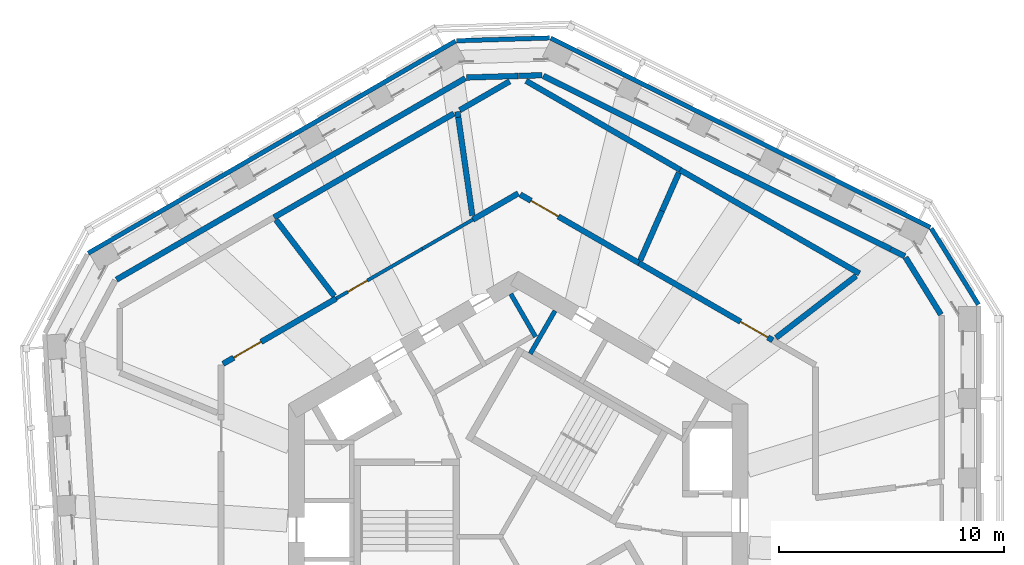
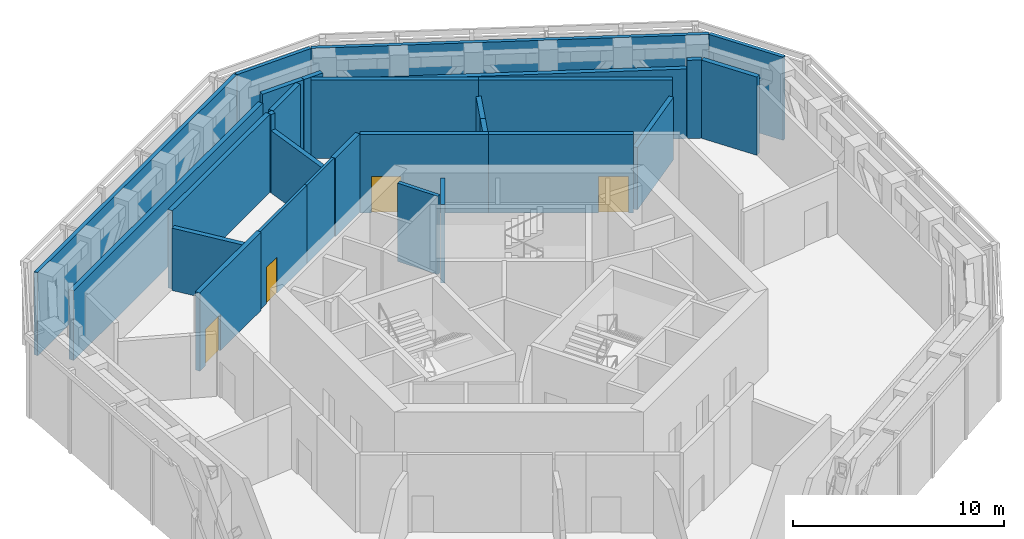
# One storey, part 8 of 14: 28 walls, 4 doors, 4 openings.
"""IFC4 building model written with IfcOpenShell, lengths in metres."""

from ifc_helpers import new_model, si_unit, direction, frame, frame_2d, origin, place, context, subcontext, project, spatial, rectangle, extrude, material, layer, layer_set, type_object, element, fill, save


model = new_model("IFC4")

# Units and contexts
model_context = context("Model", 3, precision=1e-05, world=origin(), true_north=direction((0.0, 1.0)))
body_context = subcontext(model_context, "Body", "Model", "MODEL_VIEW")
ifc_project = project(units=[si_unit("LENGTHUNIT", "METRE"), si_unit("AREAUNIT", "SQUARE_METRE"), si_unit("VOLUMEUNIT", "CUBIC_METRE"), si_unit("PLANEANGLEUNIT", "RADIAN"), si_unit("MASSUNIT", "GRAM", prefix="KILO")], contexts=[model_context])

# Site, building, storey
site_placement = place(None, origin())
site = spatial("IfcSite", under=ifc_project, at=site_placement, CompositionType="ELEMENT")
building_placement = place(site_placement, origin())
building = spatial("IfcBuilding", under=site, at=building_placement, Name="Vanh Sen Convention Tower", CompositionType="ELEMENT")
storey_placement = place(building_placement, frame((0.0, 0.0, 255.0)))
storey = spatial("IfcBuildingStorey", under=building, at=storey_placement, Name="L63", CompositionType="ELEMENT", Elevation=255.0)

# Wall
ifc_material_1 = material(Name="Concrete C40/50", Category="concrete")
ifc_layer_1 = layer(ifc_material_1, 0.25)
ifc_layer_set_1 = layer_set([ifc_layer_1], Name="Concrete C40/50")
wall_type_1 = type_object("IfcWallType", Name="Concrete wall 250 EI 180", PredefinedType="SOLIDWALL", material=ifc_layer_set_1)
wall_1_placement = place(storey_placement, frame((11.442626953125, 8.827880859375, 0.0), z_axis=(0.0, 0.0, 1.0), x_axis=(0.791689291754, 0.610923943976, 0.0)))
element("IfcWall", 1, at=wall_1_placement, inside=storey, type_object=wall_type_1, Name="Fire-resisting wall L63-050", PredefinedType="SOLIDWALL", context=body_context, shape_type="SweptSolid", body=[
    extrude(rectangle(XDim=4.500244140625, YDim=0.25, at=frame_2d((2.25, 0.0))), origin(), (0.0, 0.0, 1.0), 3.60009765625),
])

# Wall, opening, door
wall_2_placement = place(storey_placement, frame((-8.08837890625, 10.572021484375, 0.0), z_axis=(0.0, 0.0, 1.0), x_axis=(-0.866025827221, -0.499999266586, 0.0)))
wall_2 = element("IfcWall", 2, at=wall_2_placement, inside=storey, type_object=wall_type_1, Name="Fire-resisting wall L63-053", PredefinedType="SOLIDWALL", context=body_context, shape_type="SweptSolid", body=[
    extrude(rectangle(XDim=5.80224609375, YDim=0.25, at=frame_2d((2.901123046875, 0.0))), origin(), (0.0, 0.0, 1.0), 4.52001953125),
])
opening_1_placement = place(wall_2_placement, frame((3.852294921875, 0.0, 0.0)))
opening_1 = element("IfcOpeningElement", 3, at=opening_1_placement, cuts=wall_2, Name="Opening D63107", PredefinedType="OPENING", context=body_context, shape_type="SweptSolid", body=[
    extrude(rectangle(XDim=1.39990234375, YDim=2.10009765625, at=frame_2d((0.699951171875, 1.050048828125))), frame((0.0, 0.135009765625, 0.0), z_axis=(0.0, -1.0, 0.0), x_axis=(1.0, 0.0, 0.0)), (0.0, 0.0, 1.0), 0.27001953125),
])
ifc_material_2 = material(Name="Steel S355", Category="steel")
door_type_1 = type_object("IfcDoorType", Name="Service door 1400 EI 60", OperationType="SINGLE_SWING_LEFT", PredefinedType="DOOR", material=ifc_material_2)
door_1_placement = place(opening_1_placement, origin())
door_1 = element("IfcDoor", 4, at=door_1_placement, inside=storey, type_object=door_type_1, Name="Service door D63107", OperationType="SINGLE_SWING_LEFT", OverallHeight=2.10009765625, OverallWidth=1.39990234375, PredefinedType="DOOR", context=body_context, shape_type="SweptSolid", body=[
    extrude(rectangle(XDim=1.39990234375, YDim=2.10009765625, at=frame_2d((0.699951171875, 1.050048828125))), frame((0.0, 0.02490234375, 0.0), z_axis=(0.0, -1.0, 0.0), x_axis=(1.0, 0.0, 0.0)), (0.0, 0.0, 1.0), 0.050048828125),
])
fill(opening_1, door_1)

# Walls
wall_3_placement = place(storey_placement, frame((-8.173583984375, 10.683349609375, 0.0), z_axis=(0.0, 0.0, 1.0), x_axis=(-0.607669565566, 0.794189964104, 0.0)))
element("IfcWall", 5, at=wall_3_placement, inside=storey, type_object=wall_type_1, Name="Fire-resisting wall L63-055", PredefinedType="SOLIDWALL", context=body_context, shape_type="SweptSolid", body=[
    extrude(rectangle(XDim=4.252685546875, YDim=0.25, at=frame_2d((2.12646484375, 0.0))), origin(), (0.0, 0.0, 1.0), 3.60009765625),
])
wall_4_placement = place(storey_placement, frame((-17.843994140625, 11.412109375, 0.0), z_axis=(0.0, 0.0, 1.0), x_axis=(0.86603532492, 0.499982815695, 0.0)))
element("IfcWall", 6, at=wall_4_placement, inside=storey, type_object=wall_type_1, Name="Fire-resisting wall L63-056", PredefinedType="SOLIDWALL", context=body_context, shape_type="SweptSolid", body=[
    extrude(rectangle(XDim=17.884521484375, YDim=0.25, at=frame_2d((8.9423828125, 0.0))), origin(), (0.0, 0.0, 1.0), 4.02001953125),
])
wall_5_placement = place(storey_placement, frame((15.1494140625, 11.685302734375, 0.0), z_axis=(0.0, 0.0, 1.0), x_axis=(-0.86600739608, 0.500031188962, 0.0)))
element("IfcWall", 7, at=wall_5_placement, inside=storey, type_object=wall_type_1, Name="Fire-resisting wall L63-057", PredefinedType="SOLIDWALL", context=body_context, shape_type="SweptSolid", body=[
    extrude(rectangle(XDim=9.1953125, YDim=0.25, at=frame_2d((4.59765625, 0.0))), origin(), (0.0, 0.0, 1.0), 4.52001953125),
])

# Wall, opening, door
wall_6_placement = place(storey_placement, frame((5.361083984375, 12.14697265625, 0.0), z_axis=(0.0, 0.0, 1.0), x_axis=(0.86601958666, -0.500010075419, 0.0)))
wall_6 = element("IfcWall", 8, at=wall_6_placement, inside=storey, type_object=wall_type_1, Name="Fire-resisting wall L63-058", PredefinedType="SOLIDWALL", context=body_context, shape_type="SweptSolid", body=[
    extrude(rectangle(XDim=6.857666015625, YDim=0.25, at=frame_2d((3.4287109375, 0.0))), origin(), (0.0, 0.0, 1.0), 4.52001953125),
])
opening_2_placement = place(wall_6_placement, frame((5.207763671875, 0.0, 0.0)))
opening_2 = element("IfcOpeningElement", 9, at=opening_2_placement, cuts=wall_6, Name="Opening D63109", PredefinedType="OPENING", context=body_context, shape_type="SweptSolid", body=[
    extrude(rectangle(XDim=1.39990234375, YDim=2.10009765625, at=frame_2d((0.699951171875, 1.050048828125))), frame((0.0, 0.135009765625, 0.0), z_axis=(0.0, -1.0, 0.0), x_axis=(1.0, 0.0, 0.0)), (0.0, 0.0, 1.0), 0.27001953125),
])
door_2_placement = place(opening_2_placement, origin())
door_2 = element("IfcDoor", 10, at=door_2_placement, inside=storey, type_object=door_type_1, Name="Service door D63109", OperationType="SINGLE_SWING_LEFT", OverallHeight=2.10009765625, OverallWidth=1.39990234375, PredefinedType="DOOR", context=body_context, shape_type="SweptSolid", body=[
    extrude(rectangle(XDim=1.39990234375, YDim=2.10009765625, at=frame_2d((0.699951171875, 1.050048828125))), frame((0.0, 0.02490234375, 0.0), z_axis=(0.0, -1.0, 0.0), x_axis=(1.0, 0.0, 0.0)), (0.0, 0.0, 1.0), 0.050048828125),
])
fill(opening_2, door_2)

# Walls
wall_7_placement = place(storey_placement, frame((17.199462890625, 12.396484375, 0.0), z_axis=(0.0, 0.0, 1.0), x_axis=(0.526261572614, -0.850322737077, 0.0)))
element("IfcWall", 11, at=wall_7_placement, inside=storey, type_object=wall_type_1, Name="Fire-resisting wall L63-059", PredefinedType="SOLIDWALL", context=body_context, shape_type="SweptSolid", body=[
    extrude(rectangle(XDim=2.981201171875, YDim=0.25, at=frame_2d((1.49072265625, 0.0))), origin(), (0.0, 0.0, 1.0), 4.52001953125),
])
wall_8_placement = place(storey_placement, frame((16.5400390625, 12.760498046875, 0.0), z_axis=(0.0, 0.0, 1.0), x_axis=(0.894983252618, -0.446099739446, 0.0)))
element("IfcWall", 12, at=wall_8_placement, inside=storey, type_object=wall_type_1, Name="Fire-resisting wall L63-060", PredefinedType="SOLIDWALL", context=body_context, shape_type="SweptSolid", body=[
    extrude(rectangle(XDim=0.70166015625, YDim=0.25, at=frame_2d((0.350830078125, 0.0))), origin(), (0.0, 0.0, 1.0), 4.52001953125),
])
wall_9_placement = place(storey_placement, frame((-10.845947265625, 14.176025390625, 0.0), z_axis=(0.0, 0.0, 1.0), x_axis=(0.866021196397, 0.500007287337, 0.0)))
element("IfcWall", 13, at=wall_9_placement, inside=storey, type_object=wall_type_1, Name="Fire-resisting wall L63-062", PredefinedType="SOLIDWALL", context=body_context, shape_type="SweptSolid", body=[
    extrude(rectangle(XDim=9.224853515625, YDim=0.25, at=frame_2d((4.6123046875, 0.0))), origin(), (0.0, 0.0, 1.0), 4.52001953125),
])
wall_10_placement = place(storey_placement, frame((6.382568359375, 14.46044921875, 0.0), z_axis=(0.0, 0.0, 1.0), x_axis=(-0.403984880166, -0.914765662122, 0.0)))
element("IfcWall", 14, at=wall_10_placement, inside=storey, type_object=wall_type_1, Name="Fire-resisting wall L63-063", PredefinedType="SOLIDWALL", context=body_context, shape_type="SweptSolid", body=[
    extrude(rectangle(XDim=2.388916015625, YDim=0.25, at=frame_2d((1.1943359375, 0.0))), origin(), (0.0, 0.0, 1.0), 3.60009765625),
])

# Wall, opening, door
wall_11_placement = place(storey_placement, frame((0.086669921875, 15.19189453125, 0.0), z_axis=(0.0, 0.0, 1.0), x_axis=(0.866044067064, -0.499967672858, 0.0)))
wall_11 = element("IfcWall", 15, at=wall_11_placement, inside=storey, type_object=wall_type_1, Name="Fire-resisting wall L63-064", PredefinedType="SOLIDWALL", context=body_context, shape_type="SweptSolid", body=[
    extrude(rectangle(XDim=6.09033203125, YDim=0.25, at=frame_2d((3.045166015625, 0.0))), origin(), (0.0, 0.0, 1.0), 4.52001953125),
])
opening_3_placement = place(wall_11_placement, frame((0.550048828125, 0.0, 0.0)))
opening_3 = element("IfcOpeningElement", 16, at=opening_3_placement, cuts=wall_11, Name="Opening D63110", PredefinedType="OPENING", context=body_context, shape_type="SweptSolid", body=[
    extrude(rectangle(XDim=1.39990234375, YDim=2.10009765625, at=frame_2d((0.699951171875, 1.050048828125))), frame((0.0, 0.135009765625, 0.0), z_axis=(0.0, -1.0, 0.0), x_axis=(1.0, 0.0, 0.0)), (0.0, 0.0, 1.0), 0.27001953125),
])
door_3_placement = place(opening_3_placement, origin())
door_3 = element("IfcDoor", 17, at=door_3_placement, inside=storey, type_object=door_type_1, Name="Service door D63110", OperationType="SINGLE_SWING_LEFT", OverallHeight=2.10009765625, OverallWidth=1.39990234375, PredefinedType="DOOR", context=body_context, shape_type="SweptSolid", body=[
    extrude(rectangle(XDim=1.39990234375, YDim=2.10009765625, at=frame_2d((0.699951171875, 1.050048828125))), frame((0.0, 0.02490234375, 0.0), z_axis=(0.0, -1.0, 0.0), x_axis=(1.0, 0.0, 0.0)), (0.0, 0.0, 1.0), 0.050048828125),
])
fill(opening_3, door_3)

# Walls
wall_12_placement = place(storey_placement, frame((0.0, 15.241943359375, 0.0), z_axis=(0.0, 0.0, 1.0), x_axis=(-0.866057993361, -0.499943548949, 0.0)))
element("IfcWall", 18, at=wall_12_placement, inside=storey, type_object=wall_type_1, Name="Fire-resisting wall L63-065", PredefinedType="SOLIDWALL", context=body_context, shape_type="SweptSolid", body=[
    extrude(rectangle(XDim=2.325927734375, YDim=0.25, at=frame_2d((1.1630859375, 0.0))), origin(), (0.0, 0.0, 1.0), 4.52001953125),
])
wall_13_placement = place(storey_placement, frame((7.13037109375, 16.15478515625, 0.0), z_axis=(0.0, 0.0, 1.0), x_axis=(-0.403776512369, -0.914857654534, 0.0)))
element("IfcWall", 19, at=wall_13_placement, inside=storey, type_object=wall_type_1, Name="Fire-resisting wall L63-066", PredefinedType="SOLIDWALL", context=body_context, shape_type="SweptSolid", body=[
    extrude(rectangle(XDim=1.85205078125, YDim=0.25, at=frame_2d((0.926025390625, 0.0))), origin(), (0.0, 0.0, 1.0), 3.60009765625),
])
wall_14_placement = place(storey_placement, frame((-2.6640625, 18.6201171875, 0.0), z_axis=(0.0, 0.0, 1.0), x_axis=(0.1415842094, -0.989926215255, 0.0)))
element("IfcWall", 20, at=wall_14_placement, inside=storey, type_object=wall_type_1, Name="Fire-resisting wall L63-067", PredefinedType="SOLIDWALL", context=body_context, shape_type="SweptSolid", body=[
    extrude(rectangle(XDim=4.407470703125, YDim=0.25, at=frame_2d((2.20361328125, 0.0))), origin(), (0.0, 0.0, 1.0), 3.60009765625),
])
wall_15_placement = place(storey_placement, frame((-2.6640625, 18.6201171875, 0.0), z_axis=(0.0, 0.0, 1.0), x_axis=(-0.141421356237, 0.989949493661, 0.0)))
element("IfcWall", 21, at=wall_15_placement, inside=storey, type_object=wall_type_1, Name="Fire-resisting wall L63-068", PredefinedType="SOLIDWALL", context=body_context, shape_type="SweptSolid", body=[
    extrude(rectangle(XDim=0.255615234375, YDim=0.25, at=frame_2d((0.1279296875, 0.0))), origin(), (0.0, 0.0, 1.0), 4.52001953125),
])
wall_16_placement = place(storey_placement, frame((-2.59716796875, 18.9384765625, 0.0), z_axis=(0.0, 0.0, 1.0), x_axis=(0.866037761476, 0.49997859524, 0.0)))
element("IfcWall", 22, at=wall_16_placement, inside=storey, type_object=wall_type_1, Name="Fire-resisting wall L63-069", PredefinedType="SOLIDWALL", context=body_context, shape_type="SweptSolid", body=[
    extrude(rectangle(XDim=2.5576171875, YDim=0.25, at=frame_2d((1.27880859375, 0.0))), origin(), (0.0, 0.0, 1.0), 4.52001953125),
])
wall_17_placement = place(storey_placement, frame((0.346435546875, 20.238037109375, 0.0), z_axis=(0.0, 0.0, 1.0), x_axis=(0.866038426532, -0.499977443261, 0.0)))
element("IfcWall", 23, at=wall_17_placement, inside=storey, type_object=wall_type_1, Name="Fire-resisting wall L63-070", PredefinedType="SOLIDWALL", context=body_context, shape_type="SweptSolid", body=[
    extrude(rectangle(XDim=7.901123046875, YDim=0.25, at=frame_2d((3.95068359375, 0.0))), origin(), (0.0, 0.0, 1.0), 4.52001953125),
])
wall_18_placement = place(storey_placement, frame((-2.2958984375, 20.386474609375, 0.0), z_axis=(0.0, 0.0, 1.0), x_axis=(0.999535073745, 0.030489938565, 0.0)))
element("IfcWall", 24, at=wall_18_placement, inside=storey, type_object=wall_type_1, Name="Fire-resisting wall L63-071", PredefinedType="SOLIDWALL", context=body_context, shape_type="SweptSolid", body=[
    extrude(rectangle(XDim=2.281982421875, YDim=0.25, at=frame_2d((1.14111328125, 0.0))), origin(), (0.0, 0.0, 1.0), 4.52001953125),
])
wall_19_placement = place(storey_placement, frame((0.012939453125, 20.45703125, 0.0), z_axis=(0.0, 0.0, 1.0), x_axis=(0.999537058772, 0.030424794852, 0.0)))
element("IfcWall", 25, at=wall_19_placement, inside=storey, type_object=wall_type_1, Name="Fire-resisting wall L63-072", PredefinedType="SOLIDWALL", context=body_context, shape_type="SweptSolid", body=[
    extrude(rectangle(XDim=1.03515625, YDim=0.25, at=frame_2d((0.517578125, 0.0))), origin(), (0.0, 0.0, 1.0), 4.52001953125),
])
wall_20_placement = place(storey_placement, frame((1.107666015625, 20.460205078125, 0.0), z_axis=(0.0, 0.0, 1.0), x_axis=(0.894936689972, -0.446193143091, 0.0)))
element("IfcWall", 26, at=wall_20_placement, inside=storey, type_object=wall_type_1, Name="Fire-resisting wall L63-073", PredefinedType="SOLIDWALL", context=body_context, shape_type="SweptSolid", body=[
    extrude(rectangle(XDim=17.230712890625, YDim=0.25, at=frame_2d((8.615234375, 0.0))), origin(), (0.0, 0.0, 1.0), 4.02001953125),
])
ifc_material_3 = material(Name="Insulated lightweight infill wall")
ifc_layer_2 = layer(ifc_material_3, 0.199951171875)
ifc_layer_set_2 = layer_set([ifc_layer_2], Name="Insulated lightweight infill wall")
wall_type_2 = type_object("IfcWallType", Name="External wall 200", PredefinedType="STANDARD", material=ifc_layer_set_2)
wall_21_placement = place(storey_placement, frame((20.43505859375, 10.3037109375, 0.0), z_axis=(0.0, 0.0, 1.0), x_axis=(-0.526202661606, 0.850359194058, 0.0)))
element("IfcWall", 27, at=wall_21_placement, inside=storey, type_object=wall_type_2, Name="External wall CH1 L63", PredefinedType="STANDARD", context=body_context, shape_type="SweptSolid", body=[
    extrude(rectangle(XDim=3.982666015625, YDim=0.199951171875, at=frame_2d((1.9912109375, 0.0))), origin(), (0.0, 0.0, 1.0), 4.800048828125),
])
wall_22_placement = place(storey_placement, frame((18.298828125, 13.727294921875, 0.0), z_axis=(0.0, 0.0, 1.0), x_axis=(-0.894934554817, 0.44619742558, 0.0)))
element("IfcWall", 28, at=wall_22_placement, inside=storey, type_object=wall_type_2, Name="External wall NE L63", PredefinedType="STANDARD", context=body_context, shape_type="SweptSolid", body=[
    extrude(rectangle(XDim=18.84130859375, YDim=0.199951171875, at=frame_2d((9.420654296875, 0.0))), origin(), (0.0, 0.0, 1.0), 4.800048828125),
])
wall_23_placement = place(storey_placement, frame((1.389404296875, 22.144775390625, 0.0), z_axis=(0.0, 0.0, 1.0), x_axis=(-0.999534702881, -0.030502093955, 0.0)))
element("IfcWall", 29, at=wall_23_placement, inside=storey, type_object=wall_type_2, Name="External wall CH2 L63", PredefinedType="STANDARD", context=body_context, shape_type="SweptSolid", body=[
    extrude(rectangle(XDim=4.130126953125, YDim=0.199951171875, at=frame_2d((2.06494140625, 0.0))), origin(), (0.0, 0.0, 1.0), 4.800048828125),
])
wall_24_placement = place(storey_placement, frame((-2.78564453125, 22.00537109375, 0.0), z_axis=(0.0, 0.0, 1.0), x_axis=(-0.866026555358, -0.49999800541, 0.0)))
element("IfcWall", 30, at=wall_24_placement, inside=storey, type_object=wall_type_2, Name="External wall NW L63", PredefinedType="STANDARD", context=body_context, shape_type="SweptSolid", body=[
    extrude(rectangle(XDim=18.84130859375, YDim=0.199951171875, at=frame_2d((9.420654296875, 0.0))), origin(), (0.0, 0.0, 1.0), 4.800048828125),
])
ifc_layer_3 = layer(ifc_material_1, 0.199951171875)
ifc_layer_set_3 = layer_set([ifc_layer_3], Name="Concrete C40/50")
wall_type_3 = type_object("IfcWallType", Name="Lift shaft wall 200", PredefinedType="PARTITIONING", material=ifc_layer_set_3)
wall_25_placement = place(storey_placement, frame((0.5322265625, 8.1220703125, 0.0), z_axis=(0.0, 0.0, 1.0), x_axis=(0.500077893725, 0.86598042715, 0.0)))
element("IfcWall", 31, at=wall_25_placement, inside=storey, type_object=wall_type_3, Name="Lift shaft wall L63", PredefinedType="PARTITIONING", context=body_context, shape_type="SweptSolid", body=[
    extrude(rectangle(XDim=2.199951171875, YDim=0.199951171875, at=frame_2d((1.10009765625, 0.0))), origin(), (0.0, 0.0, 1.0), 4.52001953125),
])
wall_26_placement = place(storey_placement, frame((0.7666015625, 8.8720703125, 0.0), z_axis=(0.0, 0.0, 1.0), x_axis=(-0.499994660107, 0.866028486751, 0.0)))
element("IfcWall", 32, at=wall_26_placement, inside=storey, type_object=wall_type_3, Name="Lift shaft wall L63", PredefinedType="PARTITIONING", context=body_context, shape_type="SweptSolid", body=[
    extrude(rectangle(XDim=2.19970703125, YDim=0.199951171875, at=frame_2d((1.099853515625, 0.0))), origin(), (0.0, 0.0, 1.0), 4.52001953125),
])

# Wall, opening, door
ifc_material_4 = material(Name="Gypsum board on steel studs", Category="steel")
ifc_layer_4 = layer(ifc_material_4, 0.14990234375)
ifc_layer_set_4 = layer_set([ifc_layer_4], Name="Gypsum board on steel studs")
wall_type_4 = type_object("IfcWallType", Name="Partition 150 EI 60", PredefinedType="PARTITIONING", material=ifc_layer_set_4)
wall_27_placement = place(storey_placement, frame((-8.088623046875, 10.572021484375, 0.0), z_axis=(0.0, 0.0, 1.0), x_axis=(0.866021869519, 0.500006121477, 0.0)))
wall_27 = element("IfcWall", 33, at=wall_27_placement, inside=storey, type_object=wall_type_4, Name="Partition L63-054", PredefinedType="PARTITIONING", context=body_context, shape_type="SweptSolid", body=[
    extrude(rectangle(XDim=4.42041015625, YDim=0.14990234375, at=frame_2d((2.210205078125, 0.0))), origin(), (0.0, 0.0, 1.0), 4.52001953125),
])
opening_4_placement = place(wall_27_placement, frame((0.60009765625, 0.0, 0.0)))
opening_4 = element("IfcOpeningElement", 34, at=opening_4_placement, cuts=wall_27, Name="Opening D63108", PredefinedType="OPENING", context=body_context, shape_type="SweptSolid", body=[
    extrude(rectangle(XDim=1.0, YDim=2.10009765625, at=frame_2d((0.5, 1.050048828125))), frame((0.0, 0.0849609375, 0.0), z_axis=(0.0, -1.0, 0.0), x_axis=(1.0, 0.0, 0.0)), (0.0, 0.0, 1.0), 0.169921875),
])
ifc_material_5 = material(Name="Timber door in steel frame", Category="steel")
door_type_2 = type_object("IfcDoorType", Name="Room door 1000 EI 30", OperationType="SINGLE_SWING_LEFT", PredefinedType="DOOR", material=ifc_material_5)
door_4_placement = place(opening_4_placement, origin())
door_4 = element("IfcDoor", 35, at=door_4_placement, inside=storey, type_object=door_type_2, Name="Room door D63108", OperationType="SINGLE_SWING_LEFT", OverallHeight=2.10009765625, OverallWidth=1.0, PredefinedType="DOOR", context=body_context, shape_type="SweptSolid", body=[
    extrude(rectangle(XDim=1.0, YDim=2.10009765625, at=frame_2d((0.5, 1.050048828125))), frame((0.0, 0.02490234375, 0.0), z_axis=(0.0, -1.0, 0.0), x_axis=(1.0, 0.0, 0.0)), (0.0, 0.0, 1.0), 0.050048828125),
])
fill(opening_4, door_4)

# Wall
wall_28_placement = place(storey_placement, frame((-4.260498046875, 12.7822265625, 0.0), z_axis=(0.0, 0.0, 1.0), x_axis=(0.866010015463, 0.500026652407, 0.0)))
element("IfcWall", 36, at=wall_28_placement, inside=storey, type_object=wall_type_4, Name="Partition L63-061", PredefinedType="PARTITIONING", context=body_context, shape_type="SweptSolid", body=[
    extrude(rectangle(XDim=2.593505859375, YDim=0.14990234375, at=frame_2d((1.296875, 0.0))), origin(), (0.0, 0.0, 1.0), 4.52001953125),
])

save(model, "model.ifc")
